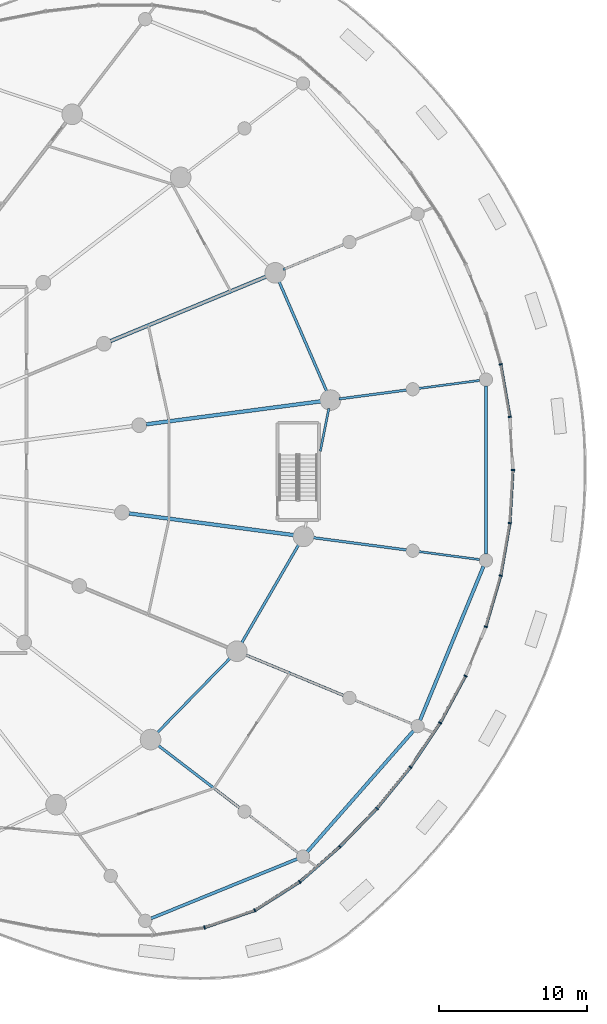
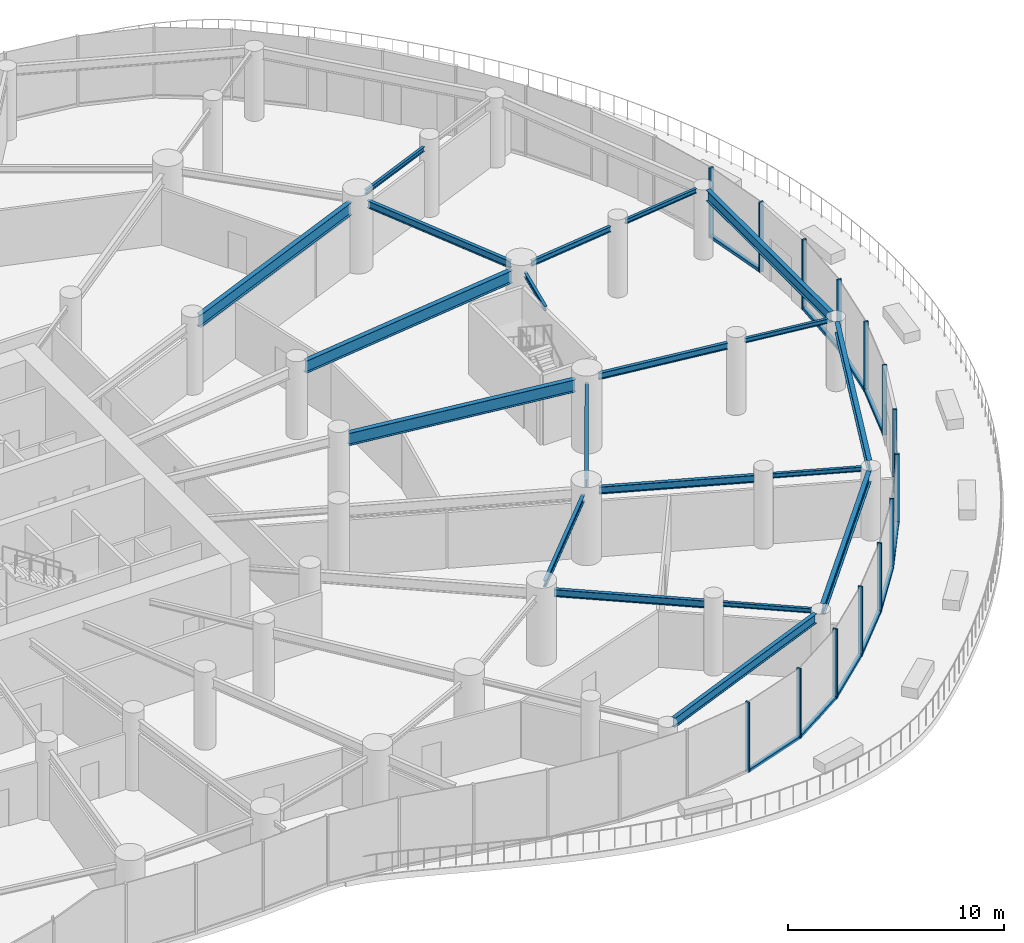
# One storey, part 7 of 21: 25 members, 20 beams, 3 elements without a shape of their own.
"""IFC4 building model written with IfcOpenShell, lengths in metres."""

from ifc_helpers import new_model, si_unit, direction, frame, origin, origin_2d, place, context, subcontext, project, spatial, rectangle, i_section, extrude, source, transform, mapped, material, layer, layer_set, material_profile, profile_set, type_object, element, aggregate, save


model = new_model("IFC4")

# Units and contexts
model_context = context("Model", 3, precision=1e-05, world=origin(), true_north=direction((0.0, 1.0)))
body_context = subcontext(model_context, "Body", "Model", "MODEL_VIEW")
ifc_project = project(units=[si_unit("LENGTHUNIT", "METRE"), si_unit("AREAUNIT", "SQUARE_METRE"), si_unit("VOLUMEUNIT", "CUBIC_METRE"), si_unit("PLANEANGLEUNIT", "RADIAN"), si_unit("MASSUNIT", "GRAM", prefix="KILO")], contexts=[model_context])

# Site, building, storey
site_placement = place(None, origin())
site = spatial("IfcSite", under=ifc_project, at=site_placement, CompositionType="ELEMENT")
building_placement = place(site_placement, origin())
building = spatial("IfcBuilding", under=site, at=building_placement, Name="Spindrift Exchange Tower", CompositionType="ELEMENT")
storey_placement = place(building_placement, frame((0.0, 0.0, 9.39990234375)))
storey = spatial("IfcBuildingStorey", under=building, at=storey_placement, Name="L02", CompositionType="ELEMENT", Elevation=9.39990234375)

# Beams
ifc_material_1 = material(Name="Steel Grade 300", Category="steel")
ifc_material_profile_1 = material_profile(ifc_material_1, i_section(OverallWidth=0.25, OverallDepth=0.699951171875, WebThickness=0.008056640625, FlangeThickness=0.011962890625, at=origin_2d()), Name="700WB115")
ifc_profile_set_1 = profile_set([ifc_material_profile_1], Name="Steel Grade 300")
beam_type_1 = type_object("IfcBeamType", Name="Floor Beam 700WB115 Steel Grade 300", PredefinedType="BEAM", material=ifc_profile_set_1)
shared_shape_1 = source(origin(), body_context, "Body", "SweptSolid", [
    extrude(i_section(OverallWidth=0.25, OverallDepth=0.699951171875, WebThickness=0.008056640625, FlangeThickness=0.011962890625, at=origin_2d()), origin(), (0.0, 0.0, 1.0), 12.00830078125),
])
beam_1_placement = place(storey_placement, frame((75.509765625, 51.09521484375, 3.60009765625), z_axis=(0.991444950947, 0.130525511844, 0.0), x_axis=(-0.130525511844, 0.991444950947, 0.0)))
element("IfcBeam", 1, at=beam_1_placement, inside=storey, type_object=beam_type_1, Name="L02 radial beam R01B", PredefinedType="BEAM", context=body_context, shape_type="MappedRepresentation", body=[
    mapped(shared_shape_1, transform((0.0, 0.0, 0.0), scale=1.0)),
])
ifc_material_profile_2 = material_profile(ifc_material_1, i_section(OverallWidth=0.1650390625, OverallDepth=0.303955078125, WebThickness=0.006103515625, FlangeThickness=0.01025390625, FilletRadius=0.011474609375, at=origin_2d()), Name="310UB40.4")
ifc_profile_set_2 = profile_set([ifc_material_profile_2], Name="Steel Grade 300")
beam_type_2 = type_object("IfcBeamType", Name="Floor Beam 310UB40.4 Steel Grade 300", PredefinedType="BEAM", material=ifc_profile_set_2)
shared_shape_2 = source(origin(), body_context, "Body", "SweptSolid", [
    extrude(i_section(OverallWidth=0.1650390625, OverallDepth=0.303955078125, WebThickness=0.006103515625, FlangeThickness=0.01025390625, FilletRadius=0.011474609375, at=origin_2d()), origin(), (0.0, 0.0, 1.0), 4.613037109375),
])
beam_2_placement = place(storey_placement, frame((88.5654296875, 52.81396484375, 3.798095703125), z_axis=(0.991446547774, 0.130513382096, 0.0), x_axis=(-0.130513382096, 0.991446547774, 0.0)))
element("IfcBeam", 2, at=beam_2_placement, inside=storey, type_object=beam_type_2, Name="L02 radial beam R01C1", PredefinedType="BEAM", context=body_context, shape_type="MappedRepresentation", body=[
    mapped(shared_shape_2, transform((0.0, 0.0, 0.0), scale=1.0)),
])
ifc_material_profile_3 = material_profile(ifc_material_1, i_section(OverallWidth=0.14599609375, OverallDepth=0.251953125, WebThickness=0.006103515625, FlangeThickness=0.008544921875, FilletRadius=0.011962890625, at=origin_2d()), Name="250UB31.4")
ifc_profile_set_3 = profile_set([ifc_material_profile_3], Name="Steel Grade 300")
beam_type_3 = type_object("IfcBeamType", Name="Floor Beam 250UB31.4 Steel Grade 300", PredefinedType="BEAM", material=ifc_profile_set_3)
shared_shape_3 = source(origin(), body_context, "Body", "SweptSolid", [
    extrude(i_section(OverallWidth=0.14599609375, OverallDepth=0.251953125, WebThickness=0.006103515625, FlangeThickness=0.008544921875, FilletRadius=0.011962890625, at=origin_2d()), origin(), (0.0, 0.0, 1.0), 4.1396484375),
])
for number, where, z_axis, x_axis, name in (
    (3, (93.99169921875, 53.5283203125, 3.82421875), (0.991446465077, 0.130514010304, 0.0), (-0.130514010304, 0.991446465077, 0.0), "L02 radial beam R01C2"),
    (4, (82.505859375, 24.592041015625, 3.82421875), (0.793355694235, -0.608758361277, 0.0), (0.608758361277, 0.793355694235, 0.0), "L02 radial beam R22C2"),
    (5, (93.99169921875, 42.4716796875, 3.82421875), (0.991446465077, -0.130514010304, 0.0), (0.130514010304, 0.991446465077, 0.0), "L02 radial beam R24C2"),
):
    element("IfcBeam", number, at=place(storey_placement, frame(where, z_axis=z_axis, x_axis=x_axis)), inside=storey, type_object=beam_type_3, Name=name, PredefinedType="BEAM", context=body_context, shape_type="MappedRepresentation", body=[
        mapped(shared_shape_3, transform((0.0, 0.0, 0.0), scale=1.0)),
    ])
shared_shape_4 = source(origin(), body_context, "Body", "SweptSolid", [
    extrude(i_section(OverallWidth=0.25, OverallDepth=0.699951171875, WebThickness=0.008056640625, FlangeThickness=0.011962890625, at=origin_2d()), origin(), (0.0, 0.0, 1.0), 11.505859375),
])
beam_3_placement = place(storey_placement, frame((73.082763671875, 56.73291015625, 3.60009765625), z_axis=(0.923881578419, 0.38267849307, 0.0), x_axis=(-0.38267849307, 0.923881578419, 0.0)))
element("IfcBeam", 6, at=beam_3_placement, inside=storey, type_object=beam_type_1, Name="L02 radial beam R02B", PredefinedType="BEAM", context=body_context, shape_type="MappedRepresentation", body=[
    mapped(shared_shape_4, transform((0.0, 0.0, 0.0), scale=1.0)),
])
shared_shape_5 = source(origin(), body_context, "Body", "SweptSolid", [
    extrude(i_section(OverallWidth=0.14599609375, OverallDepth=0.251953125, WebThickness=0.006103515625, FlangeThickness=0.008544921875, FilletRadius=0.011962890625, at=origin_2d()), origin(), (0.0, 0.0, 1.0), 4.429931640625),
])
beam_4_placement = place(storey_placement, frame((84.78466796875, 61.579833984375, 3.82421875), z_axis=(0.923877119512, 0.382689257808, 0.0), x_axis=(-0.382689257808, 0.923877119512, 0.0)))
element("IfcBeam", 7, at=beam_4_placement, inside=storey, type_object=beam_type_3, Name="L02 radial beam R02C1", PredefinedType="BEAM", context=body_context, shape_type="MappedRepresentation", body=[
    mapped(shared_shape_5, transform((0.0, 0.0, 0.0), scale=1.0)),
])
shared_shape_6 = source(origin(), body_context, "Body", "SweptSolid", [
    extrude(i_section(OverallWidth=0.14599609375, OverallDepth=0.251953125, WebThickness=0.006103515625, FlangeThickness=0.008544921875, FilletRadius=0.011962890625, at=origin_2d()), origin(), (0.0, 0.0, 1.0), 4.139892578125),
])
beam_5_placement = place(storey_placement, frame((89.671875, 32.395751953125, 3.82421875), z_axis=(0.923880985108, -0.382679925467, 0.0), x_axis=(0.382679925467, 0.923880985108, 0.0)))
element("IfcBeam", 8, at=beam_5_placement, inside=storey, type_object=beam_type_3, Name="L02 radial beam R23C2", PredefinedType="BEAM", context=body_context, shape_type="MappedRepresentation", body=[
    mapped(shared_shape_6, transform((0.0, 0.0, 0.0), scale=1.0)),
])
shared_shape_7 = source(origin(), body_context, "Body", "SweptSolid", [
    extrude(i_section(OverallWidth=0.25, OverallDepth=0.699951171875, WebThickness=0.008056640625, FlangeThickness=0.011962890625, at=origin_2d()), origin(), (0.0, 0.0, 1.0), 11.34423828125),
])
beam_6_placement = place(storey_placement, frame((74.339111328125, 45.05908203125, 3.60009765625), z_axis=(0.991444770187, -0.130526884848, 0.0), x_axis=(0.130526884848, 0.991444770187, 0.0)))
element("IfcBeam", 9, at=beam_6_placement, inside=storey, type_object=beam_type_1, Name="L02 radial beam R24B", PredefinedType="BEAM", context=body_context, shape_type="MappedRepresentation", body=[
    mapped(shared_shape_7, transform((0.0, 0.0, 0.0), scale=1.0)),
])
ifc_material_profile_4 = material_profile(ifc_material_1, i_section(OverallWidth=0.177978515625, OverallDepth=0.406005859375, WebThickness=0.0078125, FlangeThickness=0.0126953125, FilletRadius=0.013916015625, at=origin_2d()), Name="410UB59.7")
ifc_profile_set_4 = profile_set([ifc_material_profile_4], Name="Steel Grade 300")
beam_type_4 = type_object("IfcBeamType", Name="Floor Beam 410UB59.7 Steel Grade 300", PredefinedType="BEAM", material=ifc_profile_set_4)
shared_shape_8 = source(origin(), body_context, "Body", "SweptSolid", [
    extrude(i_section(OverallWidth=0.177978515625, OverallDepth=0.406005859375, WebThickness=0.0078125, FlangeThickness=0.0126953125, FilletRadius=0.013916015625, at=origin_2d()), origin(), (0.0, 0.0, 1.0), 7.01171875),
])
beam_7_placement = place(storey_placement, frame((76.2607421875, 29.384033203125, 3.7470703125), z_axis=(0.79334569595, -0.608771391178, 0.0), x_axis=(0.608771391178, 0.79334569595, 0.0)))
element("IfcBeam", 10, at=beam_7_placement, inside=storey, type_object=beam_type_4, Name="L02 radial beam R22C1", PredefinedType="BEAM", context=body_context, shape_type="MappedRepresentation", body=[
    mapped(shared_shape_8, transform((0.0, 0.0, 0.0), scale=1.0)),
])
shared_shape_9 = source(origin(), body_context, "Body", "SweptSolid", [
    extrude(i_section(OverallWidth=0.177978515625, OverallDepth=0.406005859375, WebThickness=0.0078125, FlangeThickness=0.0126953125, FilletRadius=0.013916015625, at=origin_2d()), origin(), (0.0, 0.0, 1.0), 7.248779296875),
])
beam_8_placement = place(storey_placement, frame((82.180419921875, 35.498779296875, 3.7470703125), z_axis=(0.923883012274, -0.382675031368, 0.0), x_axis=(0.382675031368, 0.923883012274, 0.0)))
element("IfcBeam", 11, at=beam_8_placement, inside=storey, type_object=beam_type_4, Name="L02 radial beam R23C1", PredefinedType="BEAM", context=body_context, shape_type="MappedRepresentation", body=[
    mapped(shared_shape_9, transform((0.0, 0.0, 0.0), scale=1.0)),
])
ifc_material_profile_5 = material_profile(ifc_material_1, i_section(OverallWidth=0.172119140625, OverallDepth=0.35888671875, WebThickness=0.008056640625, FlangeThickness=0.012939453125, FilletRadius=0.013916015625, at=origin_2d()), Name="360UB56.7")
ifc_profile_set_5 = profile_set([ifc_material_profile_5], Name="Steel Grade 300")
beam_type_5 = type_object("IfcBeamType", Name="Floor Beam 360UB56.7 Steel Grade 300", PredefinedType="BEAM", material=ifc_profile_set_5)
shared_shape_10 = source(origin(), body_context, "Body", "SweptSolid", [
    extrude(i_section(OverallWidth=0.172119140625, OverallDepth=0.35888671875, WebThickness=0.008056640625, FlangeThickness=0.012939453125, FilletRadius=0.013916015625, at=origin_2d()), origin(), (0.0, 0.0, 1.0), 6.4580078125),
])
beam_9_placement = place(storey_placement, frame((86.736083984375, 43.427001953125, 3.7705078125), z_axis=(0.99144348369, -0.13053665634, 0.0), x_axis=(0.13053665634, 0.99144348369, 0.0)))
element("IfcBeam", 12, at=beam_9_placement, inside=storey, type_object=beam_type_5, Name="L02 radial beam R24C1", PredefinedType="BEAM", context=body_context, shape_type="MappedRepresentation", body=[
    mapped(shared_shape_10, transform((0.0, 0.0, 0.0), scale=1.0)),
])
ifc_material_profile_6 = material_profile(ifc_material_1, i_section(OverallWidth=0.177978515625, OverallDepth=0.406005859375, WebThickness=0.0078125, FlangeThickness=0.0126953125, FilletRadius=0.013916015625, at=origin_2d()), Name="410UB59.7")
ifc_profile_set_6 = profile_set([ifc_material_profile_6], Name="Steel Grade 300")
beam_type_6 = type_object("IfcBeamType", Name="Edge Beam 410UB59.7 Steel Grade 300", PredefinedType="SPANDREL", material=ifc_profile_set_6)
shared_shape_11 = source(origin(), body_context, "Body", "SweptSolid", [
    extrude(i_section(OverallWidth=0.177978515625, OverallDepth=0.406005859375, WebThickness=0.0078125, FlangeThickness=0.0126953125, FilletRadius=0.013916015625, at=origin_2d()), origin(), (0.0, 0.0, 1.0), 8.23681640625),
])
beam_10_placement = place(storey_placement, frame((87.759521484375, 53.270263671875, 3.7470703125), z_axis=(-0.398186298756, 0.91730456855, 0.0), x_axis=(-0.91730456855, -0.398186298756, 0.0)))
element("IfcBeam", 13, at=beam_10_placement, inside=storey, type_object=beam_type_6, Name="L02 edge beam E01", PredefinedType="SPANDREL", context=body_context, shape_type="MappedRepresentation", body=[
    mapped(shared_shape_11, transform((0.0, 0.0, 0.0), scale=1.0)),
])
ifc_material_profile_7 = material_profile(ifc_material_1, i_section(OverallWidth=0.172119140625, OverallDepth=0.35888671875, WebThickness=0.008056640625, FlangeThickness=0.012939453125, FilletRadius=0.013916015625, at=origin_2d()), Name="360UB56.7")
ifc_profile_set_7 = profile_set([ifc_material_profile_7], Name="Steel Grade 300")
beam_type_7 = type_object("IfcBeamType", Name="Edge Beam 360UB56.7 Steel Grade 300", PredefinedType="SPANDREL", material=ifc_profile_set_7)
shared_shape_12 = source(origin(), body_context, "Body", "SweptSolid", [
    extrude(i_section(OverallWidth=0.172119140625, OverallDepth=0.35888671875, WebThickness=0.008056640625, FlangeThickness=0.012939453125, FilletRadius=0.013916015625, at=origin_2d()), origin(), (0.0, 0.0, 1.0), 7.2041015625),
])
beam_11_placement = place(storey_placement, frame((76.205810546875, 30.152099609375, 3.7705078125), z_axis=(0.698703626006, 0.715411240481, 0.0), x_axis=(-0.715411240481, 0.698703626006, 0.0)))
element("IfcBeam", 14, at=beam_11_placement, inside=storey, type_object=beam_type_7, Name="L02 edge beam E22", PredefinedType="SPANDREL", context=body_context, shape_type="MappedRepresentation", body=[
    mapped(shared_shape_12, transform((0.0, 0.0, 0.0), scale=1.0)),
])
shared_shape_13 = source(origin(), body_context, "Body", "SweptSolid", [
    extrude(i_section(OverallWidth=0.177978515625, OverallDepth=0.406005859375, WebThickness=0.0078125, FlangeThickness=0.0126953125, FilletRadius=0.013916015625, at=origin_2d()), origin(), (0.0, 0.0, 1.0), 7.837646484375),
])
beam_12_placement = place(storey_placement, frame((81.935791015625, 36.222412109375, 3.7470703125), z_axis=(0.50198145655, 0.864878382942, 0.0), x_axis=(-0.864878382942, 0.50198145655, 0.0)))
element("IfcBeam", 15, at=beam_12_placement, inside=storey, type_object=beam_type_6, Name="L02 edge beam E23", PredefinedType="SPANDREL", context=body_context, shape_type="MappedRepresentation", body=[
    mapped(shared_shape_13, transform((0.0, 0.0, 0.0), scale=1.0)),
])
ifc_material_profile_8 = material_profile(ifc_material_1, i_section(OverallWidth=0.14599609375, OverallDepth=0.251953125, WebThickness=0.006103515625, FlangeThickness=0.008544921875, FilletRadius=0.011962890625, at=origin_2d()), Name="250UB31.4")
ifc_profile_set_8 = profile_set([ifc_material_profile_8], Name="Steel Grade 300")
beam_type_8 = type_object("IfcBeamType", Name="Edge Beam 250UB31.4 Steel Grade 300", PredefinedType="SPANDREL", material=ifc_profile_set_8)
shared_shape_14 = source(origin(), body_context, "Body", "SweptSolid", [
    extrude(i_section(OverallWidth=0.14599609375, OverallDepth=0.251953125, WebThickness=0.006103515625, FlangeThickness=0.008544921875, FilletRadius=0.011962890625, at=origin_2d()), origin(), (0.0, 0.0, 1.0), 2.953369140625),
])
beam_13_placement = place(storey_placement, frame((87.303955078125, 49.27197265625, 3.82421875), z_axis=(0.194255885589, 0.980950891184, 0.0), x_axis=(-0.980950891184, 0.194255885589, 0.0)))
element("IfcBeam", 16, at=beam_13_placement, inside=storey, type_object=beam_type_8, Name="L02 edge beam E24b", PredefinedType="SPANDREL", context=body_context, shape_type="MappedRepresentation", body=[
    mapped(shared_shape_14, transform((0.0, 0.0, 0.0), scale=1.0)),
])
ifc_material_profile_9 = material_profile(ifc_material_1, i_section(OverallWidth=0.22802734375, OverallDepth=0.60693359375, WebThickness=0.01123046875, FlangeThickness=0.017333984375, FilletRadius=0.013916015625, at=origin_2d()), Name="610UB113")
ifc_profile_set_9 = profile_set([ifc_material_profile_9], Name="Steel Grade 300")
beam_type_9 = type_object("IfcBeamType", Name="Edge Beam 610UB113 Steel Grade 300", PredefinedType="SPANDREL", material=ifc_profile_set_9)
shared_shape_15 = source(origin(), body_context, "Body", "SweptSolid", [
    extrude(i_section(OverallWidth=0.22802734375, OverallDepth=0.60693359375, WebThickness=0.01123046875, FlangeThickness=0.017333984375, FilletRadius=0.013916015625, at=origin_2d()), origin(), (0.0, 0.0, 1.0), 11.284912109375),
])
beam_14_placement = place(storey_placement, frame((94.057861328125, 31.04443359375, 3.646484375), z_axis=(0.381087094808, 0.924539142584, 0.0), x_axis=(-0.924539142584, 0.381087094808, 0.0)))
element("IfcBeam", 17, at=beam_14_placement, inside=storey, type_object=beam_type_9, Name="L02 cascade edge beam G23", PredefinedType="SPANDREL", context=body_context, shape_type="MappedRepresentation", body=[
    mapped(shared_shape_15, transform((0.0, 0.0, 0.0), scale=1.0)),
])
shared_shape_16 = source(origin(), body_context, "Body", "SweptSolid", [
    extrude(i_section(OverallWidth=0.22802734375, OverallDepth=0.60693359375, WebThickness=0.01123046875, FlangeThickness=0.017333984375, FilletRadius=0.013916015625, at=origin_2d()), origin(), (0.0, 0.0, 1.0), 10.902099609375),
])
beam_15_placement = place(storey_placement, frame((86.4150390625, 22.13330078125, 3.646484375), z_axis=(0.65996985911, 0.751292077069, 0.0), x_axis=(-0.751292077069, 0.65996985911, 0.0)))
element("IfcBeam", 18, at=beam_15_placement, inside=storey, type_object=beam_type_9, Name="L02 cascade edge beam G22", PredefinedType="SPANDREL", context=body_context, shape_type="MappedRepresentation", body=[
    mapped(shared_shape_16, transform((0.0, 0.0, 0.0), scale=1.0)),
])
ifc_material_profile_10 = material_profile(ifc_material_1, i_section(OverallWidth=0.208984375, OverallDepth=0.532958984375, WebThickness=0.01025390625, FlangeThickness=0.015625, FilletRadius=0.013916015625, at=origin_2d()), Name="530UB92.4")
ifc_profile_set_10 = profile_set([ifc_material_profile_10], Name="Steel Grade 300")
beam_type_10 = type_object("IfcBeamType", Name="Edge Beam 530UB92.4 Steel Grade 300", PredefinedType="SPANDREL", material=ifc_profile_set_10)
shared_shape_17 = source(origin(), body_context, "Body", "SweptSolid", [
    extrude(i_section(OverallWidth=0.208984375, OverallDepth=0.532958984375, WebThickness=0.01025390625, FlangeThickness=0.015625, FilletRadius=0.013916015625, at=origin_2d()), origin(), (0.0, 0.0, 1.0), 10.686767578125),
])
beam_16_placement = place(storey_placement, frame((75.834716796875, 17.619384765625, 3.68359375), z_axis=(0.926216185026, 0.37699280974, 0.0), x_axis=(-0.37699280974, 0.926216185026, 0.0)))
element("IfcBeam", 19, at=beam_16_placement, inside=storey, type_object=beam_type_10, Name="L02 cascade edge beam G21", PredefinedType="SPANDREL", context=body_context, shape_type="MappedRepresentation", body=[
    mapped(shared_shape_17, transform((0.0, 0.0, 0.0), scale=1.0)),
])
shared_shape_18 = source(origin(), body_context, "Body", "SweptSolid", [
    extrude(i_section(OverallWidth=0.22802734375, OverallDepth=0.60693359375, WebThickness=0.01123046875, FlangeThickness=0.017333984375, FilletRadius=0.013916015625, at=origin_2d()), origin(), (0.0, 0.0, 1.0), 11.3896484375),
])
beam_17_placement = place(storey_placement, frame((98.5224609375, 42.30517578125, 3.646484375), z_axis=(0.0, 1.0, 0.0), x_axis=(-1.0, 0.0, 0.0)))
element("IfcBeam", 20, at=beam_17_placement, inside=storey, type_object=beam_type_9, Name="L02 cascade edge beam G24", PredefinedType="SPANDREL", context=body_context, shape_type="MappedRepresentation", body=[
    mapped(shared_shape_18, transform((0.0, 0.0, 0.0), scale=1.0)),
])

# Curtain wall, member
ifc_material_2 = material(Name="Fritted laminated glass with bronze frame", Category="glass")
ifc_layer = layer(ifc_material_2, 0.219970703125)
ifc_layer_set = layer_set([ifc_layer], Name="PODIUM BRONZE GLAZED WALL")
curtain_wall_type = type_object("IfcCurtainWallType", Name="PODIUM BRONZE GLAZED WALL", PredefinedType="NOTDEFINED", material=ifc_layer_set)
curtain_wall_1_placement = place(storey_placement, origin())
curtain_wall_1 = element("IfcCurtainWall", 21, at=curtain_wall_1_placement, inside=storey, type_object=curtain_wall_type, Name="L02 Podium Bronze Glazed Wall run 10", PredefinedType="NOTDEFINED")
ifc_material_3 = material(Name="Bronze anodised aluminium", Category="aluminium")
ifc_material_profile_11 = material_profile(ifc_material_3, rectangle(XDim=0.199951171875, YDim=0.159912109375, at=origin_2d()), Name="PODIUM BRONZE GLAZED WALL TRANSOM 200X160")
ifc_profile_set_11 = profile_set([ifc_material_profile_11], Name="Bronze anodised aluminium")
member_type_1 = type_object("IfcMemberType", Name="PODIUM BRONZE GLAZED WALL TRANSOM 200X160", PredefinedType="USERDEFINED", material=ifc_profile_set_11)
shared_shape_19 = source(origin(), body_context, "Body", "SweptSolid", [
    extrude(rectangle(XDim=0.199951171875, YDim=0.159912109375, at=origin_2d()), origin(), (0.0, 0.0, 1.0), 3.5107421875),
])
member_1_placement = place(storey_placement, frame((82.90625, 18.18994140625, 0.080078125), z_axis=(0.84424228418, 0.535961720278, 0.0), x_axis=(-0.535961720278, 0.84424228418, 0.0)))
member_1 = element("IfcMember", 22, at=member_1_placement, type_object=member_type_1, Name="L02 transom CW-P.58", ObjectType="TRANSOM", PredefinedType="USERDEFINED", context=body_context, shape_type="MappedRepresentation", body=[
    mapped(shared_shape_19, transform((0.0, 0.0, 0.0), scale=1.0)),
])

# Curtain wall, members
curtain_wall_2_placement = place(storey_placement, origin())
curtain_wall_2 = element("IfcCurtainWall", 23, at=curtain_wall_2_placement, inside=storey, type_object=curtain_wall_type, Name="L02 Podium Bronze Glazed Wall run 1", PredefinedType="NOTDEFINED")
ifc_material_profile_12 = material_profile(ifc_material_3, rectangle(XDim=0.090087890625, YDim=0.219970703125, at=origin_2d()), Name="PODIUM BRONZE GLAZED WALL MULLION 90X220")
ifc_profile_set_12 = profile_set([ifc_material_profile_12], Name="Bronze anodised aluminium")
member_type_2 = type_object("IfcMemberType", Name="PODIUM BRONZE GLAZED WALL MULLION 90X220", PredefinedType="MULLION", material=ifc_profile_set_12)
shared_shape_20 = source(origin(), body_context, "Body", "SweptSolid", [
    extrude(rectangle(XDim=0.090087890625, YDim=0.219970703125, at=origin_2d()), origin(), (0.0, 0.0, 1.0), 3.9501953125),
])
member_2_placement = place(storey_placement, frame((100.35009765625, 48.0, 0.0), z_axis=(0.0, 0.0, 1.0), x_axis=(0.0, 1.0, 0.0)))
member_2 = element("IfcMember", 24, at=member_2_placement, type_object=member_type_2, Name="L02 mullion CW-P.1", PredefinedType="MULLION", context=body_context, shape_type="MappedRepresentation", body=[
    mapped(shared_shape_20, transform((0.0, 0.0, 0.0), scale=1.0)),
])
member_3_placement = place(storey_placement, frame((100.1396484375, 51.6025390625, 0.0), z_axis=(0.0, 0.0, 1.0), x_axis=(-0.115039044032, 0.99336097082, 0.0)))
member_3 = element("IfcMember", 25, at=member_3_placement, type_object=member_type_2, Name="L02 mullion CW-P.2", PredefinedType="MULLION", context=body_context, shape_type="MappedRepresentation", body=[
    mapped(shared_shape_20, transform((0.0, 0.0, 0.0), scale=1.0)),
])
member_4_placement = place(storey_placement, frame((99.52099609375, 55.15771484375, 0.0), z_axis=(0.0, 0.0, 1.0), x_axis=(-0.225921567862, 0.97414549487, 0.0)))
member_4 = element("IfcMember", 26, at=member_4_placement, type_object=member_type_2, Name="L02 mullion CW-P.3", PredefinedType="MULLION", context=body_context, shape_type="MappedRepresentation", body=[
    mapped(shared_shape_20, transform((0.0, 0.0, 0.0), scale=1.0)),
])

# Member
member_5_placement = place(storey_placement, frame((79.45703125, 17.00341796875, 0.0), z_axis=(0.0, 0.0, 1.0), x_axis=(0.972167925781, 0.234285134149, 0.0)))
member_5 = element("IfcMember", 27, at=member_5_placement, type_object=member_type_2, Name="L02 mullion CW-P.57", PredefinedType="MULLION", context=body_context, shape_type="MappedRepresentation", body=[
    mapped(shared_shape_20, transform((0.0, 0.0, 0.0), scale=1.0)),
])

member_6_placement = place(storey_placement, frame((82.868408203125, 18.165771484375, 0.0), z_axis=(0.0, 0.0, 1.0), x_axis=(0.901735485713, 0.432288230011, 0.0)))
member_6 = element("IfcMember", 28, at=member_6_placement, type_object=member_type_2, Name="L02 mullion CW-P.58", PredefinedType="MULLION", context=body_context, shape_type="MappedRepresentation", body=[
    mapped(shared_shape_20, transform((0.0, 0.0, 0.0), scale=1.0)),
])

member_7_placement = place(storey_placement, frame((85.908203125, 20.095703125, 0.0), z_axis=(0.0, 0.0, 1.0), x_axis=(0.800511737603, 0.599317076313, 0.0)))
member_7 = element("IfcMember", 29, at=member_7_placement, type_object=member_type_2, Name="L02 mullion CW-P.59", PredefinedType="MULLION", context=body_context, shape_type="MappedRepresentation", body=[
    mapped(shared_shape_20, transform((0.0, 0.0, 0.0), scale=1.0)),
])

member_8_placement = place(storey_placement, frame((88.622802734375, 22.474853515625, 0.0), z_axis=(0.0, 0.0, 1.0), x_axis=(0.724338338136, 0.689444683717, 0.0)))
member_8 = element("IfcMember", 30, at=member_8_placement, type_object=member_type_2, Name="L02 mullion CW-P.60", PredefinedType="MULLION", context=body_context, shape_type="MappedRepresentation", body=[
    mapped(shared_shape_20, transform((0.0, 0.0, 0.0), scale=1.0)),
])

# Curtain wall, members
curtain_wall_3_placement = place(storey_placement, origin())
curtain_wall_3 = element("IfcCurtainWall", 31, at=curtain_wall_3_placement, inside=storey, type_object=curtain_wall_type, Name="L02 Podium Bronze Glazed Wall run 11", PredefinedType="NOTDEFINED")
member_9_placement = place(storey_placement, frame((91.1328125, 25.068603515625, 0.0), z_axis=(0.0, 0.0, 1.0), x_axis=(0.663969918094, 0.747759284708, 0.0)))
member_9 = element("IfcMember", 32, at=member_9_placement, type_object=member_type_2, Name="L02 mullion CW-P.61", PredefinedType="MULLION", context=body_context, shape_type="MappedRepresentation", body=[
    mapped(shared_shape_20, transform((0.0, 0.0, 0.0), scale=1.0)),
])
member_10_placement = place(storey_placement, frame((93.411376953125, 27.867919921875, 0.0), z_axis=(0.0, 0.0, 1.0), x_axis=(0.594807866261, 0.803867900985, 0.0)))
member_10 = element("IfcMember", 33, at=member_10_placement, type_object=member_type_2, Name="L02 mullion CW-P.62", PredefinedType="MULLION", context=body_context, shape_type="MappedRepresentation", body=[
    mapped(shared_shape_20, transform((0.0, 0.0, 0.0), scale=1.0)),
])
member_11_placement = place(storey_placement, frame((95.421875, 30.865234375, 0.0), z_axis=(0.0, 0.0, 1.0), x_axis=(0.516361695133, 0.856370597229, 0.0)))
member_11 = element("IfcMember", 34, at=member_11_placement, type_object=member_type_2, Name="L02 mullion CW-P.63", PredefinedType="MULLION", context=body_context, shape_type="MappedRepresentation", body=[
    mapped(shared_shape_20, transform((0.0, 0.0, 0.0), scale=1.0)),
])
member_12_placement = place(storey_placement, frame((97.13427734375, 34.0419921875, 0.0), z_axis=(0.0, 0.0, 1.0), x_axis=(0.428638880454, 0.903475904584, 0.0)))
member_12 = element("IfcMember", 35, at=member_12_placement, type_object=member_type_2, Name="L02 mullion CW-P.64", PredefinedType="MULLION", context=body_context, shape_type="MappedRepresentation", body=[
    mapped(shared_shape_20, transform((0.0, 0.0, 0.0), scale=1.0)),
])
member_13_placement = place(storey_placement, frame((98.51171875, 37.377685546875, 0.0), z_axis=(0.0, 0.0, 1.0), x_axis=(0.331176128831, 0.943568954392, 0.0)))
member_13 = element("IfcMember", 36, at=member_13_placement, type_object=member_type_2, Name="L02 mullion CW-P.65", PredefinedType="MULLION", context=body_context, shape_type="MappedRepresentation", body=[
    mapped(shared_shape_20, transform((0.0, 0.0, 0.0), scale=1.0)),
])
member_14_placement = place(storey_placement, frame((99.52099609375, 40.84228515625, 0.0), z_axis=(0.0, 0.0, 1.0), x_axis=(0.225921567862, 0.97414549487, 0.0)))
member_14 = element("IfcMember", 37, at=member_14_placement, type_object=member_type_2, Name="L02 mullion CW-P.66", PredefinedType="MULLION", context=body_context, shape_type="MappedRepresentation", body=[
    mapped(shared_shape_20, transform((0.0, 0.0, 0.0), scale=1.0)),
])
member_15_placement = place(storey_placement, frame((100.1396484375, 44.3974609375, 0.0), z_axis=(0.0, 0.0, 1.0), x_axis=(0.115039044032, 0.99336097082, 0.0)))
member_15 = element("IfcMember", 38, at=member_15_placement, type_object=member_type_2, Name="L02 mullion CW-P.67", PredefinedType="MULLION", context=body_context, shape_type="MappedRepresentation", body=[
    mapped(shared_shape_20, transform((0.0, 0.0, 0.0), scale=1.0)),
])

# Member
shared_shape_21 = source(origin(), body_context, "Body", "SweptSolid", [
    extrude(rectangle(XDim=0.199951171875, YDim=0.159912109375, at=origin_2d()), origin(), (0.0, 0.0, 1.0), 3.5185546875),
])
member_16_placement = place(storey_placement, frame((100.132080078125, 51.646728515625, 0.080078125), z_axis=(-0.171449515647, 0.985192906788, 0.0), x_axis=(-0.985192906788, -0.171449515647, 0.0)))
member_16 = element("IfcMember", 39, at=member_16_placement, type_object=member_type_1, Name="L02 transom CW-P.2", ObjectType="TRANSOM", PredefinedType="USERDEFINED", context=body_context, shape_type="MappedRepresentation", body=[
    mapped(shared_shape_21, transform((0.0, 0.0, 0.0), scale=1.0)),
])

aggregate(curtain_wall_2, [member_2, member_3, member_16, member_4])

member_17_placement = place(storey_placement, frame((99.52880859375, 40.88671875, 0.080078125), z_axis=(0.171449515647, 0.985192906788, 0.0), x_axis=(-0.985192906788, 0.171449515647, 0.0)))
member_17 = element("IfcMember", 40, at=member_17_placement, type_object=member_type_1, Name="L02 transom CW-P.66", ObjectType="TRANSOM", PredefinedType="USERDEFINED", context=body_context, shape_type="MappedRepresentation", body=[
    mapped(shared_shape_21, transform((0.0, 0.0, 0.0), scale=1.0)),
])

member_18_placement = place(storey_placement, frame((100.142333984375, 44.4423828125, 0.080078125), z_axis=(0.058282742395, 0.998300116167, 0.0), x_axis=(-0.998300116167, 0.058282742395, 0.0)))
member_18 = element("IfcMember", 41, at=member_18_placement, type_object=member_type_1, Name="L02 transom CW-P.67", ObjectType="TRANSOM", PredefinedType="USERDEFINED", context=body_context, shape_type="MappedRepresentation", body=[
    mapped(shared_shape_21, transform((0.0, 0.0, 0.0), scale=1.0)),
])

shared_shape_22 = source(origin(), body_context, "Body", "SweptSolid", [
    extrude(rectangle(XDim=0.199951171875, YDim=0.159912109375, at=origin_2d()), origin(), (0.0, 0.0, 1.0), 3.518798828125),
])
member_19_placement = place(storey_placement, frame((98.524169921875, 37.4208984375, 0.080078125), z_axis=(0.279738900005, 0.960076115641, 0.0), x_axis=(-0.960076115641, 0.279738900005, 0.0)))
member_19 = element("IfcMember", 42, at=member_19_placement, type_object=member_type_1, Name="L02 transom CW-P.65", ObjectType="TRANSOM", PredefinedType="USERDEFINED", context=body_context, shape_type="MappedRepresentation", body=[
    mapped(shared_shape_22, transform((0.0, 0.0, 0.0), scale=1.0)),
])

shared_shape_23 = source(origin(), body_context, "Body", "SweptSolid", [
    extrude(rectangle(XDim=0.199951171875, YDim=0.159912109375, at=origin_2d()), origin(), (0.0, 0.0, 1.0), 3.51904296875),
])
member_20_placement = place(storey_placement, frame((93.4365234375, 27.9052734375, 0.080078125), z_axis=(0.557019463145, 0.830499438698, 0.0), x_axis=(-0.830499438698, 0.557019463145, 0.0)))
member_20 = element("IfcMember", 43, at=member_20_placement, type_object=member_type_1, Name="L02 transom CW-P.62", ObjectType="TRANSOM", PredefinedType="USERDEFINED", context=body_context, shape_type="MappedRepresentation", body=[
    mapped(shared_shape_23, transform((0.0, 0.0, 0.0), scale=1.0)),
])

member_21_placement = place(storey_placement, frame((95.443359375, 30.90478515625, 0.080078125), z_axis=(0.474476266829, 0.880268295587, 0.0), x_axis=(-0.880268295587, 0.474476266829, 0.0)))
member_21 = element("IfcMember", 44, at=member_21_placement, type_object=member_type_1, Name="L02 transom CW-P.63", ObjectType="TRANSOM", PredefinedType="USERDEFINED", context=body_context, shape_type="MappedRepresentation", body=[
    mapped(shared_shape_23, transform((0.0, 0.0, 0.0), scale=1.0)),
])

shared_shape_24 = source(origin(), body_context, "Body", "SweptSolid", [
    extrude(rectangle(XDim=0.199951171875, YDim=0.159912109375, at=origin_2d()), origin(), (0.0, 0.0, 1.0), 3.519775390625),
])
member_22_placement = place(storey_placement, frame((85.94189453125, 20.125244140625, 0.080078125), z_axis=(0.752052230872, 0.659103513904, 0.0), x_axis=(-0.659103513904, 0.752052230872, 0.0)))
member_22 = element("IfcMember", 45, at=member_22_placement, type_object=member_type_1, Name="L02 transom CW-P.59", ObjectType="TRANSOM", PredefinedType="USERDEFINED", context=body_context, shape_type="MappedRepresentation", body=[
    mapped(shared_shape_24, transform((0.0, 0.0, 0.0), scale=1.0)),
])

shared_shape_25 = source(origin(), body_context, "Body", "SweptSolid", [
    extrude(rectangle(XDim=0.199951171875, YDim=0.159912109375, at=origin_2d()), origin(), (0.0, 0.0, 1.0), 3.513916015625),
])
member_23_placement = place(storey_placement, frame((79.49951171875, 17.017822265625, 0.080078125), z_axis=(0.946542976287, 0.322577733331, 0.0), x_axis=(-0.322577733331, 0.946542976287, 0.0)))
member_23 = element("IfcMember", 46, at=member_23_placement, type_object=member_type_1, Name="L02 transom CW-P.57", ObjectType="TRANSOM", PredefinedType="USERDEFINED", context=body_context, shape_type="MappedRepresentation", body=[
    mapped(shared_shape_25, transform((0.0, 0.0, 0.0), scale=1.0)),
])

shared_shape_26 = source(origin(), body_context, "Body", "SweptSolid", [
    extrude(rectangle(XDim=0.199951171875, YDim=0.159912109375, at=origin_2d()), origin(), (0.0, 0.0, 1.0), 3.51953125),
])
member_24_placement = place(storey_placement, frame((88.654052734375, 22.507080078125, 0.080078125), z_axis=(0.695392540052, 0.718630096253, 0.0), x_axis=(-0.718630096253, 0.695392540052, 0.0)))
member_24 = element("IfcMember", 47, at=member_24_placement, type_object=member_type_1, Name="L02 transom CW-P.60", ObjectType="TRANSOM", PredefinedType="USERDEFINED", context=body_context, shape_type="MappedRepresentation", body=[
    mapped(shared_shape_26, transform((0.0, 0.0, 0.0), scale=1.0)),
])

aggregate(curtain_wall_1, [member_5, member_23, member_6, member_1, member_7, member_22, member_8, member_24])

member_25_placement = place(storey_placement, frame((91.1611328125, 25.103515625, 0.080078125), z_axis=(0.631313121726, 0.775528040974, 0.0), x_axis=(-0.775528040974, 0.631313121726, 0.0)))
member_25 = element("IfcMember", 48, at=member_25_placement, type_object=member_type_1, Name="L02 transom CW-P.61", ObjectType="TRANSOM", PredefinedType="USERDEFINED", context=body_context, shape_type="MappedRepresentation", body=[
    mapped(shared_shape_26, transform((0.0, 0.0, 0.0), scale=1.0)),
])

aggregate(curtain_wall_3, [member_9, member_25, member_10, member_20, member_11, member_21, member_12, member_13, member_19, member_14, member_17, member_15, member_18])

save(model, "model.ifc")
